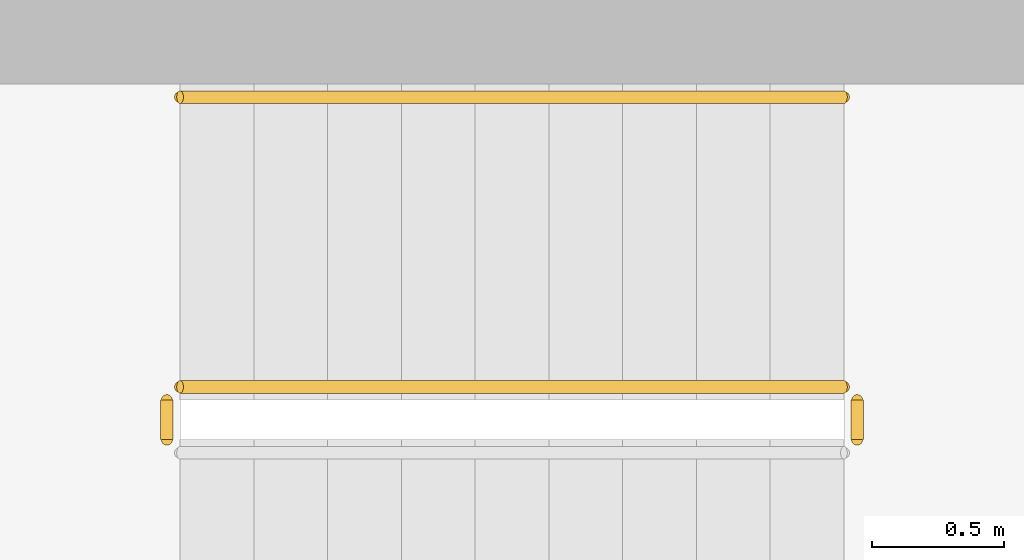
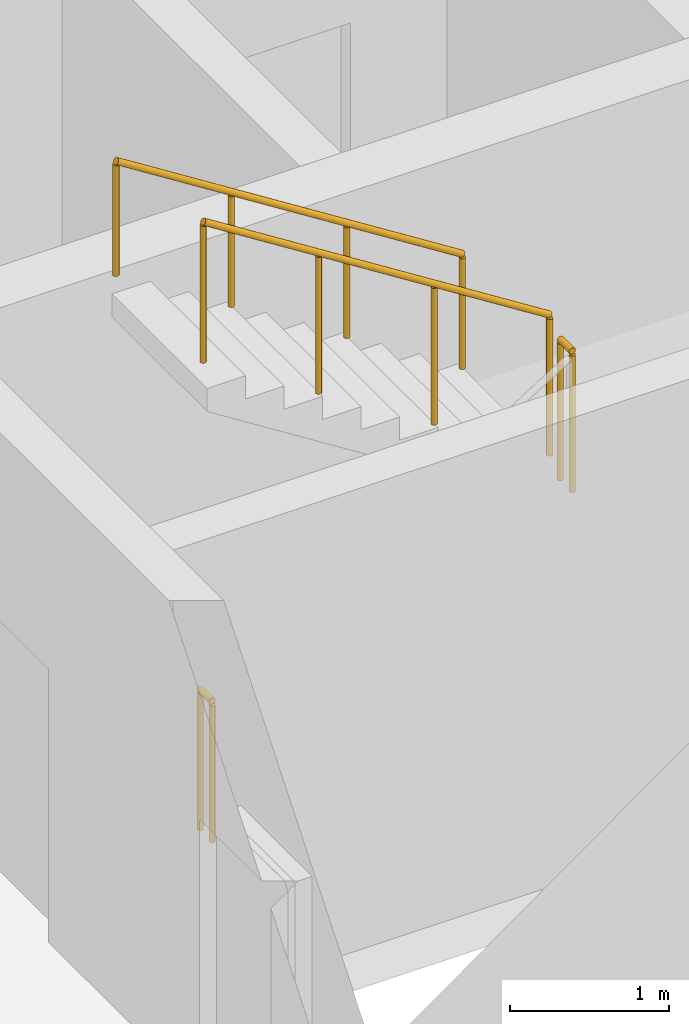
# One storey, part 15 of 17: 4 railings.
"""IFC4 building model written with IfcOpenShell, lengths in metres."""

from ifc_helpers import new_model, si_unit, direction, frame, origin, origin_2d, place, context, subcontext, project, spatial, circle, extrude, material, type_object, element, save


model = new_model("IFC4")

# Units and contexts
model_context = context("Model", 3, precision=1e-05, world=origin(), true_north=direction((0.0, 1.0)))
body_context = subcontext(model_context, "Body", "Model", "MODEL_VIEW")
ifc_project = project(units=[si_unit("LENGTHUNIT", "METRE"), si_unit("AREAUNIT", "SQUARE_METRE"), si_unit("VOLUMEUNIT", "CUBIC_METRE"), si_unit("PLANEANGLEUNIT", "RADIAN"), si_unit("MASSUNIT", "GRAM", prefix="KILO")], contexts=[model_context])

# Site, building, storey
site_placement = place(None, origin())
site = spatial("IfcSite", under=ifc_project, at=site_placement, CompositionType="ELEMENT")
building_placement = place(site_placement, origin())
building = spatial("IfcBuilding", under=site, at=building_placement, Name="Ostrand Prow Hotel Tower", CompositionType="ELEMENT")
storey_placement = place(building_placement, frame((0.0, 0.0, 116.85009765625)))
storey = spatial("IfcBuildingStorey", under=building, at=storey_placement, Name="L28", CompositionType="ELEMENT", Elevation=116.85009765625)

# Railings
ifc_material_1 = material(Name="Painted steel", Category="steel")
railing_type_1 = type_object("IfcRailingType", Name="Stair guard 1100", PredefinedType="GUARDRAIL", material=ifc_material_1)
railing_1_placement = place(storey_placement, frame((59.77001953125, -11.699951171875, 1.77490234375)))
element("IfcRailing", 1, at=railing_1_placement, inside=storey, type_object=railing_type_1, Name="L28 ST2C stair guard 2", PredefinedType="GUARDRAIL", context=body_context, shape_type="SweptSolid", body=[
    extrude(circle(Radius=0.02392578125, at=origin_2d()), frame((0.0, 0.0, 1.076171875), z_axis=(0.0, 1.0, 0.0), x_axis=(-1.0, 0.0, 0.0)), (0.0, 0.0, 1.0), 0.14990234375),
    extrude(circle(Radius=0.02099609375, at=origin_2d()), origin(), (0.0, 0.0, 1.0), 1.052001953125),
    extrude(circle(Radius=0.02099609375, at=origin_2d()), frame((0.0, 0.14990234375, 0.0)), (0.0, 0.0, 1.0), 1.052001953125),
])
railing_2_placement = place(storey_placement, frame((59.719970703125, -11.5, 1.952392578125)))
element("IfcRailing", 2, at=railing_2_placement, inside=storey, type_object=railing_type_1, Name="L28 ST2C stair guard 3", PredefinedType="GUARDRAIL", context=body_context, shape_type="SweptSolid", body=[
    extrude(circle(Radius=0.02392578125, at=origin_2d()), frame((0.0, 0.0, 1.076171875), z_axis=(-0.84460694969, 0.0, 0.535386869969), x_axis=(0.0, -1.0, 0.0)), (0.0, 0.0, 1.0), 2.983642578125),
    extrude(circle(Radius=0.02099609375, at=origin_2d()), origin(), (0.0, 0.0, 1.0), 1.052001953125),
    extrude(circle(Radius=0.02099609375, at=origin_2d()), frame((-0.840087890625, 0.0, 0.532470703125)), (0.0, 0.0, 1.0), 1.052001953125),
    extrude(circle(Radius=0.02099609375, at=origin_2d()), frame((-1.679931640625, 0.0, 1.06494140625)), (0.0, 0.0, 1.0), 1.052001953125),
    extrude(circle(Radius=0.02099609375, at=origin_2d()), frame((-2.52001953125, 0.0, 1.597412109375)), (0.0, 0.0, 1.0), 1.052001953125),
])
railing_3_placement = place(storey_placement, frame((57.14990234375, -11.699951171875, 0.0)))
element("IfcRailing", 3, at=railing_3_placement, inside=storey, type_object=railing_type_1, Name="L28 ST2C stair guard 4", PredefinedType="GUARDRAIL", context=body_context, shape_type="SweptSolid", body=[
    extrude(circle(Radius=0.02392578125, at=origin_2d()), frame((0.0, 0.0, 1.076171875), z_axis=(0.0, 1.0, 0.0), x_axis=(-1.0, 0.0, 0.0)), (0.0, 0.0, 1.0), 0.14990234375),
    extrude(circle(Radius=0.02099609375, at=origin_2d()), origin(), (0.0, 0.0, 1.0), 1.052001953125),
    extrude(circle(Radius=0.02099609375, at=origin_2d()), frame((0.0, 0.14990234375, 0.0)), (0.0, 0.0, 1.0), 1.052001953125),
])
ifc_material_2 = material(Name="Stainless steel", Category="steel")
railing_type_2 = type_object("IfcRailingType", Name="Stair handrail 900", PredefinedType="HANDRAIL", material=ifc_material_2)
railing_4_placement = place(storey_placement, frame((59.719970703125, -10.39990234375, 1.952392578125)))
element("IfcRailing", 4, at=railing_4_placement, inside=storey, type_object=railing_type_2, Name="L28 ST2C stair handrail 2", PredefinedType="HANDRAIL", context=body_context, shape_type="SweptSolid", body=[
    extrude(circle(Radius=0.02392578125, at=origin_2d()), frame((0.0, 0.0, 0.8759765625), z_axis=(-0.84460694969, 0.0, 0.535386869969), x_axis=(0.0, -1.0, 0.0)), (0.0, 0.0, 1.0), 2.983642578125),
    extrude(circle(Radius=0.02099609375, at=origin_2d()), origin(), (0.0, 0.0, 1.0), 0.851806640625),
    extrude(circle(Radius=0.02099609375, at=origin_2d()), frame((-0.840087890625, 0.0, 0.532470703125)), (0.0, 0.0, 1.0), 0.851806640625),
    extrude(circle(Radius=0.02099609375, at=origin_2d()), frame((-1.679931640625, 0.0, 1.06494140625)), (0.0, 0.0, 1.0), 0.851806640625),
    extrude(circle(Radius=0.02099609375, at=origin_2d()), frame((-2.52001953125, 0.0, 1.597412109375)), (0.0, 0.0, 1.0), 0.851806640625),
])

save(model, "model.ifc")
